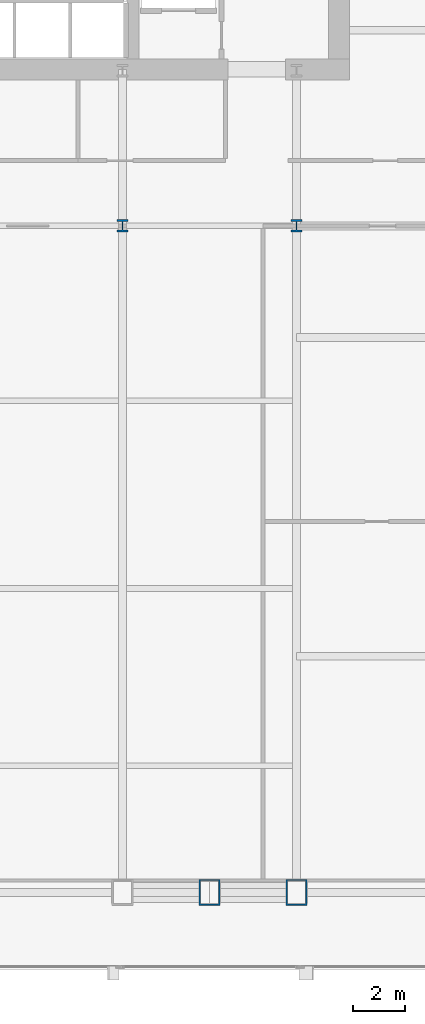
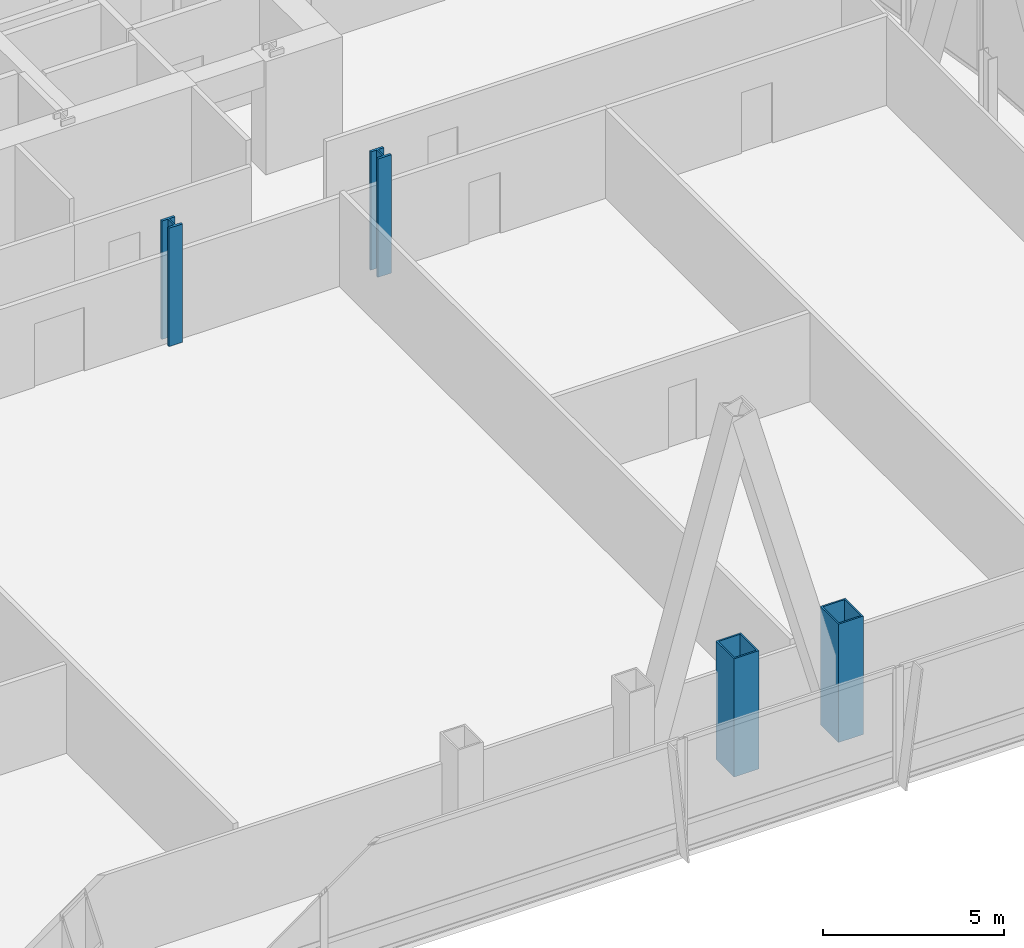
# One storey, part 2 of 36: 4 columns.
"""IFC4 building model written with IfcOpenShell, lengths in metres."""

from ifc_helpers import new_model, si_unit, direction, frame, origin, origin_2d, place, context, subcontext, project, spatial, hollow_rectangle, i_section, extrude, material, material_profile, profile_set, type_object, element, save


model = new_model("IFC4")

# Units and contexts
model_context = context("Model", 3, precision=1e-05, world=origin(), true_north=direction((0.0, 1.0)))
body_context = subcontext(model_context, "Body", "Model", "MODEL_VIEW")
ifc_project = project(units=[si_unit("LENGTHUNIT", "METRE"), si_unit("AREAUNIT", "SQUARE_METRE"), si_unit("VOLUMEUNIT", "CUBIC_METRE"), si_unit("PLANEANGLEUNIT", "RADIAN"), si_unit("MASSUNIT", "GRAM", prefix="KILO")], contexts=[model_context])

# Site, building, storey
site_placement = place(None, origin())
site = spatial("IfcSite", under=ifc_project, at=site_placement, CompositionType="ELEMENT")
building_placement = place(site_placement, origin())
building = spatial("IfcBuilding", under=site, at=building_placement, Name="Khoronbel Lancet Exchange", CompositionType="ELEMENT")
storey_placement = place(building_placement, frame((0.0, 0.0, 49.800048828125)))
storey = spatial("IfcBuildingStorey", under=building, at=storey_placement, Name="L11", CompositionType="ELEMENT", Elevation=49.800048828125)

# Columns
ifc_material = material(Name="Steel S460", Category="steel")
ifc_material_profile_1 = material_profile(ifc_material, hollow_rectangle(XDim=0.800048828125, YDim=1.0, WallThickness=0.054931640625, at=origin_2d()), Name="BOX 1000x800x55")
ifc_profile_set_1 = profile_set([ifc_material_profile_1], Name="Steel S460")
column_type_1 = type_object("IfcColumnType", Name="COL-EC1", PredefinedType="COLUMN", material=ifc_profile_set_1)
for number, where, z_axis, x_axis, name in (
    (1, (51.33740234375, 10.14990234375, 0.0), (0.0, 0.0, 1.0), (1.0, 0.0, 0.0), "Structural column SC-EM L11"),
    (2, (54.675048828125, 10.14990234375, 0.0), (0.0, 0.0, 1.0), (1.0, 0.0, 0.0), "Structural column SC-E2 L11"),
):
    element("IfcColumn", number, at=place(storey_placement, frame(where, z_axis=z_axis, x_axis=x_axis)), inside=storey, type_object=column_type_1, Name=name, PredefinedType="COLUMN", context=body_context, shape_type="SweptSolid", body=[
        extrude(hollow_rectangle(XDim=0.800048828125, YDim=1.0, WallThickness=0.054931640625, at=origin_2d()), origin(), (0.0, 0.0, 1.0), 4.0),
    ])
ifc_material_profile_2 = material_profile(ifc_material, i_section(OverallWidth=0.424072265625, OverallDepth=0.47412109375, WebThickness=0.047607421875, FlangeThickness=0.076904296875, at=origin_2d()), Name="HD 400x634")
ifc_profile_set_2 = profile_set([ifc_material_profile_2], Name="Steel S460")
column_type_2 = type_object("IfcColumnType", Name="COL-IC1", PredefinedType="COLUMN", material=ifc_profile_set_2)
for number, where, z_axis, x_axis, name in (
    (3, (48.0, 35.699951171875, 0.0), (0.0, 0.0, 1.0), (1.0, 0.0, 0.0), "Spine gravity column TC3 L11"),
    (4, (54.675048828125, 35.699951171875, 0.0), (0.0, 0.0, 1.0), (1.0, 0.0, 0.0), "Spine gravity column TC4 L11"),
):
    element("IfcColumn", number, at=place(storey_placement, frame(where, z_axis=z_axis, x_axis=x_axis)), inside=storey, type_object=column_type_2, Name=name, PredefinedType="COLUMN", context=body_context, shape_type="SweptSolid", body=[
        extrude(i_section(OverallWidth=0.424072265625, OverallDepth=0.47412109375, WebThickness=0.047607421875, FlangeThickness=0.076904296875, at=origin_2d()), origin(), (0.0, 0.0, 1.0), 4.0),
    ])

save(model, "model.ifc")
